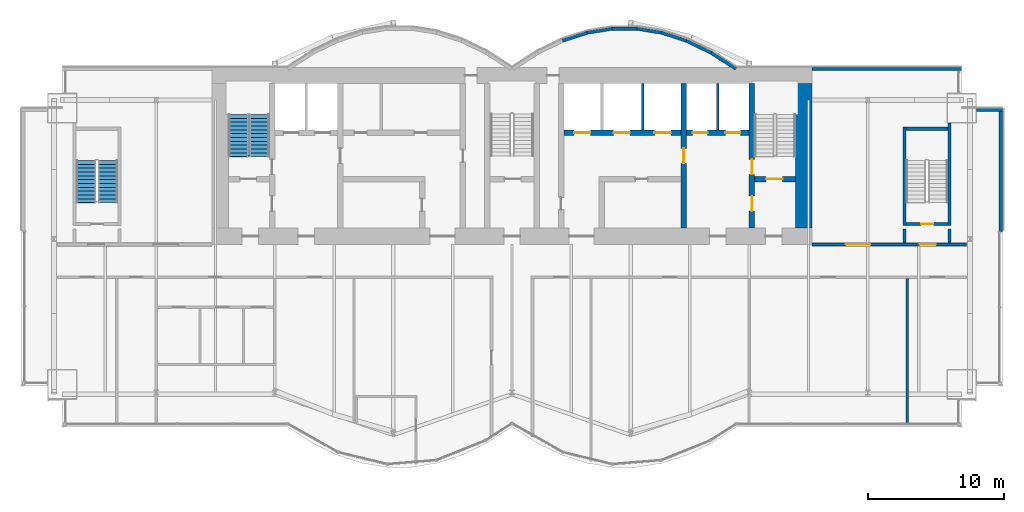
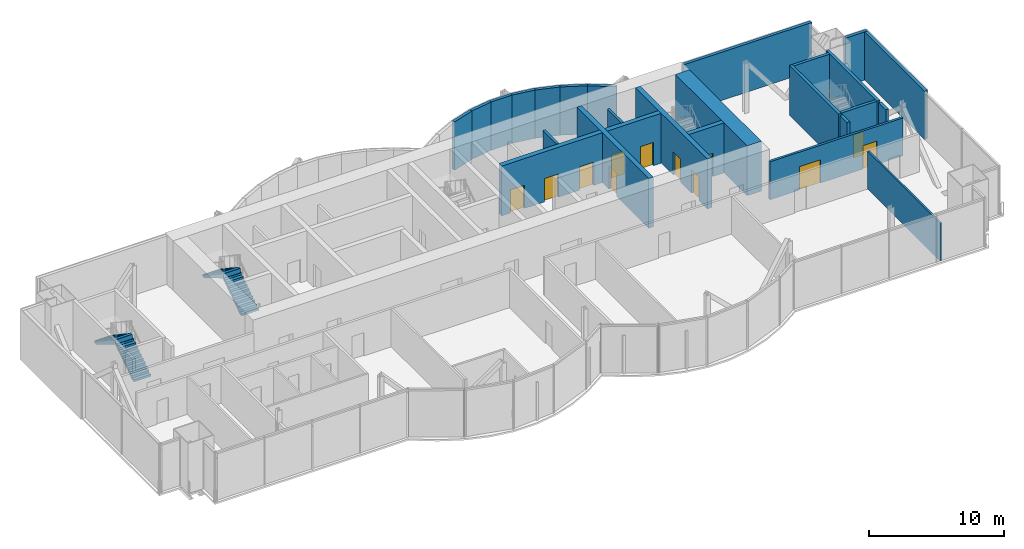
# One storey, part 14 of 18: 25 walls, 12 doors, 4 stair flights, 12 openings, 2 elements without a shape of their own.
"""IFC4 building model written with IfcOpenShell, lengths in metres."""

from ifc_helpers import new_model, si_unit, direction, frame, frame_2d, origin, place, context, subcontext, project, spatial, polyline, rectangle, outline, extrude, material, layer, layer_set, layer_usage, type_object, element, fill, aggregate, save


model = new_model("IFC4")

# Units and contexts
model_context = context("Model", 3, precision=1e-05, world=origin(), true_north=direction((0.0, 1.0)))
body_context = subcontext(model_context, "Body", "Model", "MODEL_VIEW")
ifc_project = project(units=[si_unit("LENGTHUNIT", "METRE"), si_unit("AREAUNIT", "SQUARE_METRE"), si_unit("VOLUMEUNIT", "CUBIC_METRE"), si_unit("PLANEANGLEUNIT", "RADIAN"), si_unit("MASSUNIT", "GRAM", prefix="KILO")], contexts=[model_context])

# Site, building, storey
site_placement = place(None, origin())
site = spatial("IfcSite", under=ifc_project, at=site_placement, CompositionType="ELEMENT")
building_placement = place(site_placement, origin())
building = spatial("IfcBuilding", under=site, at=building_placement, Name="Bicima Exchange Tower", CompositionType="ELEMENT")
storey_placement = place(building_placement, frame((0.0, 0.0, 311.0)))
storey = spatial("IfcBuildingStorey", under=building, at=storey_placement, Name="L70", CompositionType="ELEMENT", Elevation=311.0)

# Walls
ifc_material_1 = material(Name="Gypsum board partition")
ifc_layer_1 = layer(ifc_material_1, 0.199951171875)
ifc_layer_set_1 = layer_set([ifc_layer_1], Name="Gypsum board partition")
wall_type_1 = type_object("IfcWallType", Name="Fire-rated gypsum partition 200 EI120", PredefinedType="PARTITIONING", material=ifc_layer_set_1)
for number, where, z_axis, x_axis, name in (
    (1, (9.60009765625, -4.60009765625, 0.0), (0.0, 0.0, 1.0), (0.0, 1.0, 0.0), "partition wall 19"),
    (2, (15.10009765625, -4.60009765625, 0.0), (0.0, 0.0, 1.0), (0.0, 1.0, 0.0), "partition wall 21"),
):
    element("IfcWall", number, at=place(storey_placement, frame(where, z_axis=z_axis, x_axis=x_axis)), inside=storey, type_object=wall_type_1, Name=name, PredefinedType="PARTITIONING", context=body_context, shape_type="SweptSolid", body=[
        extrude(rectangle(XDim=3.400146484375, YDim=0.199951171875, at=frame_2d((1.7001953125, 0.0))), origin(), (0.0, 0.0, 1.0), 3.418212890625),
    ])

# Wall, openings, doors
ifc_layer_2 = layer(ifc_material_1, 0.199951171875)
ifc_layer_set_2 = layer_set([ifc_layer_2], Name="Gypsum board partition")
wall_type_2 = type_object("IfcWallType", Name="Fire-rated gypsum partition 200 EI60", PredefinedType="PARTITIONING", material=ifc_layer_set_2)
wall_1_placement = place(storey_placement, frame((22.0, -13.0, 0.0), z_axis=(0.0, 0.0, 1.0), x_axis=(1.0, 0.0, 0.0)))
wall_1 = element("IfcWall", 3, at=wall_1_placement, inside=storey, type_object=wall_type_2, Name="partition wall 7", PredefinedType="PARTITIONING", context=body_context, shape_type="SweptSolid", body=[
    extrude(rectangle(XDim=11.340087890625, YDim=0.199951171875, at=frame_2d((5.669921875, 0.0))), origin(), (0.0, 0.0, 1.0), 3.418212890625),
])
opening_1_placement = place(wall_1_placement, frame((7.89990234375, 0.0, 0.0)))
opening_1 = element("IfcOpeningElement", 4, at=opening_1_placement, cuts=wall_1, Name="Opening L70-003", PredefinedType="OPENING", context=body_context, shape_type="SweptSolid", body=[
    extrude(rectangle(XDim=1.199951171875, YDim=2.10009765625, at=frame_2d((0.60009765625, 1.050048828125))), frame((0.0, 0.11181640625, 0.0), z_axis=(0.0, -1.0, 0.0), x_axis=(1.0, 0.0, 0.0)), (0.0, 0.0, 1.0), 0.223876953125),
])
opening_2_placement = place(wall_1_placement, frame((2.5, 0.0, 0.0)))
opening_2 = element("IfcOpeningElement", 5, at=opening_2_placement, cuts=wall_1, Name="Opening L70-006", PredefinedType="OPENING", context=body_context, shape_type="SweptSolid", body=[
    extrude(rectangle(XDim=1.800048828125, YDim=2.10009765625, at=frame_2d((0.89990234375, 1.050048828125))), frame((0.0, 0.11181640625, 0.0), z_axis=(0.0, -1.0, 0.0), x_axis=(1.0, 0.0, 0.0)), (0.0, 0.0, 1.0), 0.223876953125),
])
ifc_material_2 = material(Name="Steel fire door leaf", Category="steel")
door_type_1 = type_object("IfcDoorType", Name="Door 1200 swing FD30S", OperationType="SINGLE_SWING_LEFT", PredefinedType="DOOR", material=ifc_material_2)
door_1_placement = place(opening_1_placement, origin())
door_1 = element("IfcDoor", 6, at=door_1_placement, inside=storey, type_object=door_type_1, Name="Door", OperationType="SINGLE_SWING_RIGHT", OverallHeight=2.10009765625, OverallWidth=1.199951171875, PredefinedType="DOOR", context=body_context, shape_type="SweptSolid", body=[
    extrude(rectangle(XDim=1.199951171875, YDim=2.10009765625, at=frame_2d((0.60009765625, 1.050048828125))), frame((0.0, 0.02490234375, 0.0), z_axis=(0.0, -1.0, 0.0), x_axis=(1.0, 0.0, 0.0)), (0.0, 0.0, 1.0), 0.050048828125),
])
fill(opening_1, door_1)
door_type_2 = type_object("IfcDoorType", Name="Door 1800 double swing FD30S", OperationType="DOUBLE_DOOR_SINGLE_SWING", PredefinedType="DOOR", material=ifc_material_2)
door_2_placement = place(opening_2_placement, origin())
door_2 = element("IfcDoor", 7, at=door_2_placement, inside=storey, type_object=door_type_2, Name="Door", OperationType="SINGLE_SWING_LEFT", OverallHeight=2.10009765625, OverallWidth=1.800048828125, PredefinedType="DOOR", context=body_context, shape_type="SweptSolid", body=[
    extrude(rectangle(XDim=1.800048828125, YDim=2.10009765625, at=frame_2d((0.89990234375, 1.050048828125))), frame((0.0, 0.02490234375, 0.0), z_axis=(0.0, -1.0, 0.0), x_axis=(1.0, 0.0, 0.0)), (0.0, 0.0, 1.0), 0.050048828125),
])
fill(opening_2, door_2)

# Walls
ifc_layer_3 = layer(ifc_material_1, 0.14990234375)
ifc_layer_set_3 = layer_set([ifc_layer_3], Name="Gypsum board partition")
wall_type_3 = type_object("IfcWallType", Name="Gypsum partition 150", PredefinedType="PARTITIONING", material=ifc_layer_set_3)
wall_2_placement = place(storey_placement, frame((29.0, -26.169921875, 0.0), z_axis=(0.0, 0.0, 1.0), x_axis=(0.0, 1.0, 0.0)))
element("IfcWall", 8, at=wall_2_placement, inside=storey, type_object=wall_type_3, Name="partition wall 28", PredefinedType="PARTITIONING", context=body_context, shape_type="SweptSolid", body=[
    extrude(rectangle(XDim=10.669921875, YDim=0.14990234375, at=frame_2d((5.3349609375, 0.0))), origin(), (0.0, 0.0, 1.0), 3.418212890625),
])
ifc_material_3 = material(Name="Concrete C40/50", Category="concrete")
ifc_layer_4 = layer(ifc_material_3, 1.199951171875)
ifc_layer_set_4 = layer_set([ifc_layer_4], Name="Concrete C40/50")
wall_type_4 = type_object("IfcWallType", Name="RC core wall 1200 C40/50", PredefinedType="SHEAR", material=ifc_layer_set_4)
wall_3_placement = place(storey_placement, frame((21.39990234375, -11.800048828125, 0.0), z_axis=(0.0, 0.0, 1.0), x_axis=(0.0, 1.0, 0.0)))
element("IfcWall", 9, at=wall_3_placement, inside=storey, type_object=wall_type_4, Name="Core wall east", PredefinedType="SHEAR", context=body_context, shape_type="SweptSolid", body=[
    extrude(rectangle(XDim=10.60009765625, YDim=1.199951171875, at=frame_2d((5.300048828125, 0.0))), origin(), (0.0, 0.0, 1.0), 4.5),
])
ifc_material_4 = material(Name="Concrete C50/60", Category="concrete")
ifc_layer_5 = layer(ifc_material_4, 0.25)
ifc_layer_set_5 = layer_set([ifc_layer_5], Name="Concrete C50/60")
wall_type_5 = type_object("IfcWallType", Name="RC core wall 250 C50/60", PredefinedType="SHEAR", material=ifc_layer_set_5)
for number, where, z_axis, x_axis, name in (
    (10, (28.800048828125, -12.89990234375, 0.0), (0.0, 0.0, 1.0), (0.0, 1.0, 0.0), "stair wall 27"),
    (11, (32.10009765625, -12.89990234375, 0.0), (0.0, 0.0, 1.0), (0.0, 1.0, 0.0), "stair wall 29"),
):
    element("IfcWall", number, at=place(storey_placement, frame(where, z_axis=z_axis, x_axis=x_axis)), inside=storey, type_object=wall_type_5, Name=name, PredefinedType="SHEAR", context=body_context, shape_type="SweptSolid", body=[
        extrude(rectangle(XDim=1.0498046875, YDim=0.25, at=frame_2d((0.52490234375, 0.0))), origin(), (0.0, 0.0, 1.0), 4.5),
    ])

# Wall, openings, doors
ifc_layer_6 = layer(ifc_material_3, 0.39990234375)
ifc_layer_set_6 = layer_set([ifc_layer_6], Name="Concrete C40/50")
wall_type_6 = type_object("IfcWallType", Name="RC core wall 400 C40/50", PredefinedType="SHEAR", material=ifc_layer_set_6)
wall_4_placement = place(storey_placement, frame((3.800048828125, -4.800048828125, 0.0), z_axis=(0.0, 0.0, 1.0), x_axis=(1.0, 0.0, 0.0)))
wall_4 = element("IfcWall", 12, at=wall_4_placement, inside=storey, type_object=wall_type_6, Name="shear wall 7", PredefinedType="SHEAR", context=body_context, shape_type="SweptSolid", body=[
    extrude(rectangle(XDim=13.599853515625, YDim=0.39990234375, at=frame_2d((6.7998046875, 0.0))), origin(), (0.0, 0.0, 1.0), 4.5),
])
opening_3_placement = place(wall_4_placement, frame((0.75, 0.0, 0.0)))
opening_3 = element("IfcOpeningElement", 13, at=opening_3_placement, cuts=wall_4, Name="Opening LD-HB1-L70", PredefinedType="OPENING", context=body_context, shape_type="SweptSolid", body=[
    extrude(rectangle(XDim=1.199951171875, YDim=2.10009765625, at=frame_2d((0.60009765625, 1.050048828125))), frame((0.0, 0.2119140625, 0.0), z_axis=(0.0, -1.0, 0.0), x_axis=(1.0, 0.0, 0.0)), (0.0, 0.0, 1.0), 0.423828125),
])
opening_4_placement = place(wall_4_placement, frame((3.64990234375, 0.0, 0.0)))
opening_4 = element("IfcOpeningElement", 14, at=opening_4_placement, cuts=wall_4, Name="Opening LD-HB2-L70", PredefinedType="OPENING", context=body_context, shape_type="SweptSolid", body=[
    extrude(rectangle(XDim=1.199951171875, YDim=2.10009765625, at=frame_2d((0.60009765625, 1.050048828125))), frame((0.0, 0.2119140625, 0.0), z_axis=(0.0, -1.0, 0.0), x_axis=(1.0, 0.0, 0.0)), (0.0, 0.0, 1.0), 0.423828125),
])
opening_5_placement = place(wall_4_placement, frame((6.64990234375, 0.0, 0.0)))
opening_5 = element("IfcOpeningElement", 15, at=opening_5_placement, cuts=wall_4, Name="Opening LD-HB3-L70", PredefinedType="OPENING", context=body_context, shape_type="SweptSolid", body=[
    extrude(rectangle(XDim=1.199951171875, YDim=2.10009765625, at=frame_2d((0.60009765625, 1.050048828125))), frame((0.0, 0.2119140625, 0.0), z_axis=(0.0, -1.0, 0.0), x_axis=(1.0, 0.0, 0.0)), (0.0, 0.0, 1.0), 0.423828125),
])
opening_6_placement = place(wall_4_placement, frame((9.449951171875, 0.0, 0.0)))
opening_6 = element("IfcOpeningElement", 16, at=opening_6_placement, cuts=wall_4, Name="Opening LD-FF2-L70", PredefinedType="OPENING", context=body_context, shape_type="SweptSolid", body=[
    extrude(rectangle(XDim=1.10009765625, YDim=2.10009765625, at=frame_2d((0.550048828125, 1.050048828125))), frame((0.0, 0.2119140625, 0.0), z_axis=(0.0, -1.0, 0.0), x_axis=(1.0, 0.0, 0.0)), (0.0, 0.0, 1.0), 0.423828125),
])
opening_7_placement = place(wall_4_placement, frame((11.85009765625, 0.0, 0.0)))
opening_7 = element("IfcOpeningElement", 17, at=opening_7_placement, cuts=wall_4, Name="Opening LD-SV1-L70", PredefinedType="OPENING", context=body_context, shape_type="SweptSolid", body=[
    extrude(rectangle(XDim=1.10009765625, YDim=2.10009765625, at=frame_2d((0.550048828125, 1.050048828125))), frame((0.0, 0.2119140625, 0.0), z_axis=(0.0, -1.0, 0.0), x_axis=(1.0, 0.0, 0.0)), (0.0, 0.0, 1.0), 0.423828125),
])
ifc_material_5 = material(Name="Stainless steel", Category="steel")
door_type_3 = type_object("IfcDoorType", Name="Lift landing door 1100 sliding", OperationType="DOUBLE_DOOR_SLIDING", PredefinedType="DOOR", material=ifc_material_5)
door_3_placement = place(opening_6_placement, origin())
door_3 = element("IfcDoor", 18, at=door_3_placement, inside=storey, type_object=door_type_3, Name="Lift landing door FF2", OperationType="DOUBLE_DOOR_SLIDING", OverallHeight=2.10009765625, OverallWidth=1.10009765625, PredefinedType="DOOR", context=body_context, shape_type="SweptSolid", body=[
    extrude(rectangle(XDim=1.10009765625, YDim=2.10009765625, at=frame_2d((0.550048828125, 1.050048828125))), frame((0.0, 0.02490234375, 0.0), z_axis=(0.0, -1.0, 0.0), x_axis=(1.0, 0.0, 0.0)), (0.0, 0.0, 1.0), 0.050048828125),
])
fill(opening_6, door_3)
door_4_placement = place(opening_7_placement, origin())
door_4 = element("IfcDoor", 19, at=door_4_placement, inside=storey, type_object=door_type_3, Name="Lift landing door SV1", OperationType="DOUBLE_DOOR_SLIDING", OverallHeight=2.10009765625, OverallWidth=1.10009765625, PredefinedType="DOOR", context=body_context, shape_type="SweptSolid", body=[
    extrude(rectangle(XDim=1.10009765625, YDim=2.10009765625, at=frame_2d((0.550048828125, 1.050048828125))), frame((0.0, 0.02490234375, 0.0), z_axis=(0.0, -1.0, 0.0), x_axis=(1.0, 0.0, 0.0)), (0.0, 0.0, 1.0), 0.050048828125),
])
fill(opening_7, door_4)
door_type_4 = type_object("IfcDoorType", Name="Lift landing door 1200 sliding", OperationType="DOUBLE_DOOR_SLIDING", PredefinedType="DOOR", material=ifc_material_5)
door_5_placement = place(opening_3_placement, origin())
door_5 = element("IfcDoor", 20, at=door_5_placement, inside=storey, type_object=door_type_4, Name="Lift landing door HB1", OperationType="DOUBLE_DOOR_SLIDING", OverallHeight=2.10009765625, OverallWidth=1.199951171875, PredefinedType="DOOR", context=body_context, shape_type="SweptSolid", body=[
    extrude(rectangle(XDim=1.199951171875, YDim=2.10009765625, at=frame_2d((0.60009765625, 1.050048828125))), frame((0.0, 0.02490234375, 0.0), z_axis=(0.0, -1.0, 0.0), x_axis=(1.0, 0.0, 0.0)), (0.0, 0.0, 1.0), 0.050048828125),
])
fill(opening_3, door_5)
door_6_placement = place(opening_4_placement, origin())
door_6 = element("IfcDoor", 21, at=door_6_placement, inside=storey, type_object=door_type_4, Name="Lift landing door HB2", OperationType="DOUBLE_DOOR_SLIDING", OverallHeight=2.10009765625, OverallWidth=1.199951171875, PredefinedType="DOOR", context=body_context, shape_type="SweptSolid", body=[
    extrude(rectangle(XDim=1.199951171875, YDim=2.10009765625, at=frame_2d((0.60009765625, 1.050048828125))), frame((0.0, 0.02490234375, 0.0), z_axis=(0.0, -1.0, 0.0), x_axis=(1.0, 0.0, 0.0)), (0.0, 0.0, 1.0), 0.050048828125),
])
fill(opening_4, door_6)
door_7_placement = place(opening_5_placement, origin())
door_7 = element("IfcDoor", 22, at=door_7_placement, inside=storey, type_object=door_type_4, Name="Lift landing door HB3", OperationType="DOUBLE_DOOR_SLIDING", OverallHeight=2.10009765625, OverallWidth=1.199951171875, PredefinedType="DOOR", context=body_context, shape_type="SweptSolid", body=[
    extrude(rectangle(XDim=1.199951171875, YDim=2.10009765625, at=frame_2d((0.60009765625, 1.050048828125))), frame((0.0, 0.02490234375, 0.0), z_axis=(0.0, -1.0, 0.0), x_axis=(1.0, 0.0, 0.0)), (0.0, 0.0, 1.0), 0.050048828125),
])
fill(opening_5, door_7)

# Wall, opening, door
wall_5_placement = place(storey_placement, frame((12.60009765625, -11.800048828125, 0.0), z_axis=(0.0, 0.0, 1.0), x_axis=(0.0, 1.0, 0.0)))
wall_5 = element("IfcWall", 23, at=wall_5_placement, inside=storey, type_object=wall_type_6, Name="shear wall 20", PredefinedType="SHEAR", context=body_context, shape_type="SweptSolid", body=[
    extrude(rectangle(XDim=10.60009765625, YDim=0.39990234375, at=frame_2d((5.300048828125, 0.0))), origin(), (0.0, 0.0, 1.0), 4.5),
])
opening_8_placement = place(wall_5_placement, frame((4.75, 0.0, 0.0)))
opening_8 = element("IfcOpeningElement", 24, at=opening_8_placement, cuts=wall_5, Name="Opening L70-C09", PredefinedType="OPENING", context=body_context, shape_type="SweptSolid", body=[
    extrude(rectangle(XDim=1.10009765625, YDim=2.10009765625, at=frame_2d((0.550048828125, 1.050048828125))), frame((0.0, 0.2119140625, 0.0), z_axis=(0.0, -1.0, 0.0), x_axis=(1.0, 0.0, 0.0)), (0.0, 0.0, 1.0), 0.423828125),
])
door_type_5 = type_object("IfcDoorType", Name="Door 1100 swing FD60S", OperationType="SINGLE_SWING_LEFT", PredefinedType="DOOR", material=ifc_material_2)
door_8_placement = place(opening_8_placement, frame((1.10009765625, 0.0, 0.0), z_axis=(0.0, 0.0, 1.0), x_axis=(-1.0, 0.0, 0.0)))
door_8 = element("IfcDoor", 25, at=door_8_placement, inside=storey, type_object=door_type_5, Name="Core door", OperationType="SINGLE_SWING_RIGHT", OverallHeight=2.10009765625, OverallWidth=1.10009765625, PredefinedType="DOOR", context=body_context, shape_type="SweptSolid", body=[
    extrude(rectangle(XDim=1.10009765625, YDim=2.10009765625, at=frame_2d((0.550048828125, 1.050048828125))), frame((0.0, 0.02490234375, 0.0), z_axis=(0.0, -1.0, 0.0), x_axis=(1.0, 0.0, 0.0)), (0.0, 0.0, 1.0), 0.050048828125),
])
fill(opening_8, door_8)

ifc_layer_7 = layer(ifc_material_4, 0.39990234375)
ifc_layer_set_7 = layer_set([ifc_layer_7], Name="Concrete C50/60")
wall_type_7 = type_object("IfcWallType", Name="RC core wall 400 C50/60", PredefinedType="SHEAR", material=ifc_layer_set_7)
wall_6_placement = place(storey_placement, frame((17.800048828125, -8.199951171875, 0.0), z_axis=(0.0, 0.0, 1.0), x_axis=(1.0, 0.0, 0.0)))
wall_6 = element("IfcWall", 26, at=wall_6_placement, inside=storey, type_object=wall_type_7, Name="stair wall 5", PredefinedType="SHEAR", context=body_context, shape_type="SweptSolid", body=[
    extrude(rectangle(XDim=3.0, YDim=0.39990234375, at=frame_2d((1.5, 0.0))), origin(), (0.0, 0.0, 1.0), 4.5),
])
opening_9_placement = place(wall_6_placement, frame((0.85009765625, 0.0, 0.0)))
opening_9 = element("IfcOpeningElement", 27, at=opening_9_placement, cuts=wall_6, Name="Opening L70-C04", PredefinedType="OPENING", context=body_context, shape_type="SweptSolid", body=[
    extrude(rectangle(XDim=1.199951171875, YDim=2.10009765625, at=frame_2d((0.60009765625, 1.050048828125))), frame((0.0, 0.2119140625, 0.0), z_axis=(0.0, -1.0, 0.0), x_axis=(1.0, 0.0, 0.0)), (0.0, 0.0, 1.0), 0.423828125),
])
door_type_6 = type_object("IfcDoorType", Name="Door 1200 swing FD60S", OperationType="SINGLE_SWING_LEFT", PredefinedType="DOOR", material=ifc_material_2)
door_9_placement = place(opening_9_placement, origin())
door_9 = element("IfcDoor", 28, at=door_9_placement, inside=storey, type_object=door_type_6, Name="Core door", OperationType="SINGLE_SWING_RIGHT", OverallHeight=2.10009765625, OverallWidth=1.199951171875, PredefinedType="DOOR", context=body_context, shape_type="SweptSolid", body=[
    extrude(rectangle(XDim=1.199951171875, YDim=2.10009765625, at=frame_2d((0.60009765625, 1.050048828125))), frame((0.0, 0.02490234375, 0.0), z_axis=(0.0, -1.0, 0.0), x_axis=(1.0, 0.0, 0.0)), (0.0, 0.0, 1.0), 0.050048828125),
])
fill(opening_9, door_9)

# Wall, openings, doors
wall_7_placement = place(storey_placement, frame((17.60009765625, -11.800048828125, 0.0), z_axis=(0.0, 0.0, 1.0), x_axis=(0.0, 1.0, 0.0)))
wall_7 = element("IfcWall", 29, at=wall_7_placement, inside=storey, type_object=wall_type_7, Name="stair wall 22", PredefinedType="SHEAR", context=body_context, shape_type="SweptSolid", body=[
    extrude(rectangle(XDim=10.60009765625, YDim=0.39990234375, at=frame_2d((5.300048828125, 0.0))), origin(), (0.0, 0.0, 1.0), 4.5),
])
opening_10_placement = place(wall_7_placement, frame((1.25, 0.0, 0.0)))
opening_10 = element("IfcOpeningElement", 30, at=opening_10_placement, cuts=wall_7, Name="Opening L70-C05", PredefinedType="OPENING", context=body_context, shape_type="SweptSolid", body=[
    extrude(rectangle(XDim=1.10009765625, YDim=2.10009765625, at=frame_2d((0.550048828125, 1.050048828125))), frame((0.0, 0.2119140625, 0.0), z_axis=(0.0, -1.0, 0.0), x_axis=(1.0, 0.0, 0.0)), (0.0, 0.0, 1.0), 0.423828125),
])
opening_11_placement = place(wall_7_placement, frame((3.949951171875, 0.0, 0.0)))
opening_11 = element("IfcOpeningElement", 31, at=opening_11_placement, cuts=wall_7, Name="Opening L70-C08", PredefinedType="OPENING", context=body_context, shape_type="SweptSolid", body=[
    extrude(rectangle(XDim=1.10009765625, YDim=2.10009765625, at=frame_2d((0.550048828125, 1.050048828125))), frame((0.0, 0.2119140625, 0.0), z_axis=(0.0, -1.0, 0.0), x_axis=(1.0, 0.0, 0.0)), (0.0, 0.0, 1.0), 0.423828125),
])
door_10_placement = place(opening_10_placement, origin())
door_10 = element("IfcDoor", 32, at=door_10_placement, inside=storey, type_object=door_type_5, Name="Core door", OperationType="SINGLE_SWING_LEFT", OverallHeight=2.10009765625, OverallWidth=1.10009765625, PredefinedType="DOOR", context=body_context, shape_type="SweptSolid", body=[
    extrude(rectangle(XDim=1.10009765625, YDim=2.10009765625, at=frame_2d((0.550048828125, 1.050048828125))), frame((0.0, 0.02490234375, 0.0), z_axis=(0.0, -1.0, 0.0), x_axis=(1.0, 0.0, 0.0)), (0.0, 0.0, 1.0), 0.050048828125),
])
fill(opening_10, door_10)
door_11_placement = place(opening_11_placement, origin())
door_11 = element("IfcDoor", 33, at=door_11_placement, inside=storey, type_object=door_type_5, Name="Core door", OperationType="SINGLE_SWING_RIGHT", OverallHeight=2.10009765625, OverallWidth=1.10009765625, PredefinedType="DOOR", context=body_context, shape_type="SweptSolid", body=[
    extrude(rectangle(XDim=1.10009765625, YDim=2.10009765625, at=frame_2d((0.550048828125, 1.050048828125))), frame((0.0, 0.02490234375, 0.0), z_axis=(0.0, -1.0, 0.0), x_axis=(1.0, 0.0, 0.0)), (0.0, 0.0, 1.0), 0.050048828125),
])
fill(opening_11, door_11)

# Walls
ifc_layer_8 = layer(ifc_material_4, 0.25)
ifc_layer_set_8 = layer_set([ifc_layer_8], Name="Concrete C50/60")
wall_type_8 = type_object("IfcWallType", Name="RC stair enclosure wall 250 C50/60", PredefinedType="SHEAR", material=ifc_layer_set_8)
wall_8_placement = place(storey_placement, frame((28.800048828125, -11.625, 0.0), z_axis=(0.0, 0.0, 1.0), x_axis=(0.0, 1.0, 0.0)))
element("IfcWall", 34, at=wall_8_placement, inside=storey, type_object=wall_type_8, Name="East end exit stair wall W", PredefinedType="SHEAR", context=body_context, shape_type="SweptSolid", body=[
    extrude(rectangle(XDim=7.25, YDim=0.25, at=frame_2d((3.625, 0.0))), origin(), (0.0, 0.0, 1.0), 4.5),
])
wall_9_placement = place(storey_placement, frame((32.10009765625, -11.625, 0.0), z_axis=(0.0, 0.0, 1.0), x_axis=(0.0, 1.0, 0.0)))
element("IfcWall", 35, at=wall_9_placement, inside=storey, type_object=wall_type_8, Name="East end exit stair wall E", PredefinedType="SHEAR", context=body_context, shape_type="SweptSolid", body=[
    extrude(rectangle(XDim=7.52490234375, YDim=0.25, at=frame_2d((3.762451171875, 0.0))), origin(), (0.0, 0.0, 1.0), 4.5),
])

# Wall, opening, door
wall_10_placement = place(storey_placement, frame((28.925048828125, -11.5, 0.0), z_axis=(0.0, 0.0, 1.0), x_axis=(1.0, 0.0, 0.0)))
wall_10 = element("IfcWall", 36, at=wall_10_placement, inside=storey, type_object=wall_type_8, Name="East end exit stair wall S", PredefinedType="SHEAR", context=body_context, shape_type="SweptSolid", body=[
    extrude(rectangle(XDim=3.050048828125, YDim=0.25, at=frame_2d((1.52490234375, 0.0))), origin(), (0.0, 0.0, 1.0), 4.5),
])
opening_12_placement = place(wall_10_placement, frame((1.10009765625, 0.0, 0.0)))
opening_12 = element("IfcOpeningElement", 37, at=opening_12_placement, cuts=wall_10, Name="Opening L70-004", PredefinedType="OPENING", context=body_context, shape_type="SweptSolid", body=[
    extrude(rectangle(XDim=0.89990234375, YDim=2.10009765625, at=frame_2d((0.449951171875, 1.050048828125))), frame((0.0, 0.136962890625, 0.0), z_axis=(0.0, -1.0, 0.0), x_axis=(1.0, 0.0, 0.0)), (0.0, 0.0, 1.0), 0.27392578125),
])
door_type_7 = type_object("IfcDoorType", Name="Door 900 swing FD60S", OperationType="SINGLE_SWING_LEFT", PredefinedType="DOOR", material=ifc_material_2)
door_12_placement = place(opening_12_placement, origin())
door_12 = element("IfcDoor", 38, at=door_12_placement, inside=storey, type_object=door_type_7, Name="Door", OperationType="SINGLE_SWING_LEFT", OverallHeight=2.10009765625, OverallWidth=0.89990234375, PredefinedType="DOOR", context=body_context, shape_type="SweptSolid", body=[
    extrude(rectangle(XDim=0.89990234375, YDim=2.10009765625, at=frame_2d((0.449951171875, 1.050048828125))), frame((0.0, 0.02490234375, 0.0), z_axis=(0.0, -1.0, 0.0), x_axis=(1.0, 0.0, 0.0)), (0.0, 0.0, 1.0), 0.050048828125),
])
fill(opening_12, door_12)

# Walls
wall_11_placement = place(storey_placement, frame((28.925048828125, -4.5, 0.0), z_axis=(0.0, 0.0, 1.0), x_axis=(1.0, 0.0, 0.0)))
element("IfcWall", 39, at=wall_11_placement, inside=storey, type_object=wall_type_8, Name="East end exit stair wall N", PredefinedType="SHEAR", context=body_context, shape_type="SweptSolid", body=[
    extrude(rectangle(XDim=3.050048828125, YDim=0.25, at=frame_2d((1.52490234375, 0.0))), origin(), (0.0, 0.0, 1.0), 4.5),
])
ifc_layer_9 = layer(ifc_material_3, 0.25)
ifc_layer_set_9 = layer_set([ifc_layer_9], Name="Concrete C40/50")
ifc_layer_usage = layer_usage(ifc_layer_set_9, "AXIS2", "POSITIVE", -0.125)
wall_type_9 = type_object("IfcWallType", Name="Rear backup wall 250", PredefinedType="STANDARD", material=ifc_layer_set_9)
wall_12_placement = place(storey_placement, frame((33.0, -0.125, 0.0), z_axis=(0.0, 0.0, 1.0), x_axis=(-1.0, 0.0, 0.0)))
element("IfcWall", 40, at=wall_12_placement, inside=storey, type_object=wall_type_9, material=ifc_layer_usage, Name="Rear backup wall L70 1", PredefinedType="STANDARD", context=body_context, shape_type="SweptSolid", body=[
    extrude(rectangle(XDim=11.0, YDim=0.25, at=frame_2d((5.5, 0.0))), origin(), (0.0, 0.0, 1.0), 4.35009765625),
])
wall_13_placement = place(storey_placement, frame((16.43212890625, -0.10498046875, 0.0), z_axis=(0.0, 0.0, 1.0), x_axis=(-0.83981312244, 0.542875602121, 0.0)))
element("IfcWall", 41, at=wall_13_placement, inside=storey, type_object=wall_type_9, material=ifc_layer_usage, Name="Rear backup wall L70 2", PredefinedType="STANDARD", context=body_context, shape_type="SweptSolid", body=[
    extrude(rectangle(XDim=2.182861328125, YDim=0.25, at=frame_2d((1.09130859375, 0.0))), origin(), (0.0, 0.0, 1.0), 4.35009765625),
])
wall_14_placement = place(storey_placement, frame((14.6123046875, 1.07275390625, 0.0), z_axis=(0.0, 0.0, 1.0), x_axis=(-0.89982408427, 0.436252928206, 0.0)))
element("IfcWall", 42, at=wall_14_placement, inside=storey, type_object=wall_type_9, material=ifc_layer_usage, Name="Rear backup wall L70 3", PredefinedType="STANDARD", context=body_context, shape_type="SweptSolid", body=[
    extrude(rectangle(XDim=2.03759765625, YDim=0.25, at=frame_2d((1.018798828125, 0.0))), origin(), (0.0, 0.0, 1.0), 4.35009765625),
])
wall_15_placement = place(storey_placement, frame((12.794921875, 1.955078125, 0.0), z_axis=(0.0, 0.0, 1.0), x_axis=(-0.951495806175, 0.307661714928, 0.0)))
element("IfcWall", 43, at=wall_15_placement, inside=storey, type_object=wall_type_9, material=ifc_layer_usage, Name="Rear backup wall L70 4", PredefinedType="STANDARD", context=body_context, shape_type="SweptSolid", body=[
    extrude(rectangle(XDim=1.9267578125, YDim=0.25, at=frame_2d((0.96337890625, 0.0))), origin(), (0.0, 0.0, 1.0), 4.35009765625),
])
wall_16_placement = place(storey_placement, frame((10.97998046875, 2.543212890625, 0.0), z_axis=(0.0, 0.0, 1.0), x_axis=(-0.987181718931, 0.159600293885, 0.0)))
element("IfcWall", 44, at=wall_16_placement, inside=storey, type_object=wall_type_9, material=ifc_layer_usage, Name="Rear backup wall L70 5", PredefinedType="STANDARD", context=body_context, shape_type="SweptSolid", body=[
    extrude(rectangle(XDim=1.857177734375, YDim=0.25, at=frame_2d((0.9287109375, 0.0))), origin(), (0.0, 0.0, 1.0), 4.35009765625),
])
wall_17_placement = place(storey_placement, frame((9.166748046875, 2.837890625, 0.0), z_axis=(0.0, 0.0, 1.0), x_axis=(-1.0, 0.0, 0.0)))
element("IfcWall", 45, at=wall_17_placement, inside=storey, type_object=wall_type_9, material=ifc_layer_usage, Name="Rear backup wall L70 6", PredefinedType="STANDARD", context=body_context, shape_type="SweptSolid", body=[
    extrude(rectangle(XDim=1.83349609375, YDim=0.25, at=frame_2d((0.916748046875, 0.0))), origin(), (0.0, 0.0, 1.0), 4.35009765625),
])
wall_18_placement = place(storey_placement, frame((7.353271484375, 2.839599609375, 0.0), z_axis=(0.0, 0.0, 1.0), x_axis=(-0.987181718931, -0.159600293885, 0.0)))
element("IfcWall", 46, at=wall_18_placement, inside=storey, type_object=wall_type_9, material=ifc_layer_usage, Name="Rear backup wall L70 7", PredefinedType="STANDARD", context=body_context, shape_type="SweptSolid", body=[
    extrude(rectangle(XDim=1.857177734375, YDim=0.25, at=frame_2d((0.9287109375, 0.0))), origin(), (0.0, 0.0, 1.0), 4.35009765625),
])
wall_19_placement = place(storey_placement, frame((5.538330078125, 2.5478515625, 0.0), z_axis=(0.0, 0.0, 1.0), x_axis=(-0.951495806175, -0.307661714928, 0.0)))
element("IfcWall", 47, at=wall_19_placement, inside=storey, type_object=wall_type_9, material=ifc_layer_usage, Name="Rear backup wall L70 8", PredefinedType="STANDARD", context=body_context, shape_type="SweptSolid", body=[
    extrude(rectangle(XDim=1.9267578125, YDim=0.25, at=frame_2d((0.96337890625, 0.0))), origin(), (0.0, 0.0, 1.0), 4.35009765625),
])
wall_20_placement = place(storey_placement, frame((35.875, -12.090087890625, 0.0), z_axis=(0.0, 0.0, 1.0), x_axis=(0.0, 1.0, 0.0)))
element("IfcWall", 48, at=wall_20_placement, inside=storey, type_object=wall_type_9, material=ifc_layer_usage, Name="Rear backup wall L70 50", PredefinedType="STANDARD", context=body_context, shape_type="SweptSolid", body=[
    extrude(rectangle(XDim=9.090087890625, YDim=0.25, at=frame_2d((4.544921875, 0.0))), origin(), (0.0, 0.0, 1.0), 4.35009765625),
])
wall_21_placement = place(storey_placement, frame((36.0, -3.125, 0.0), z_axis=(0.0, 0.0, 1.0), x_axis=(-1.0, 0.0, 0.0)))
element("IfcWall", 49, at=wall_21_placement, inside=storey, type_object=wall_type_9, material=ifc_layer_usage, Name="Rear backup wall L70 51", PredefinedType="STANDARD", context=body_context, shape_type="SweptSolid", body=[
    extrude(rectangle(XDim=1.89990234375, YDim=0.25, at=frame_2d((0.949951171875, 0.0))), origin(), (0.0, 0.0, 1.0), 4.35009765625),
])

# Stair, stair flights
stair_type = type_object("IfcStairType", Name="Exit stair", PredefinedType="HALF_TURN_STAIR", material=ifc_material_4)
stair_1_placement = place(storey_placement, origin())
stair_1 = element("IfcStair", 50, at=stair_1_placement, inside=storey, type_object=stair_type, Name="L70 West exit stair", PredefinedType="HALF_TURN_STAIR")
stair_flight_type = type_object("IfcStairFlightType", Name="Stair flight RC", PredefinedType="STRAIGHT", material=ifc_material_4)
stair_flight_1_placement = place(storey_placement, frame((-18.52490234375, -6.550048828125, 0.0), z_axis=(0.0, 0.0, 1.0), x_axis=(0.0, 1.0, 0.0)))
stair_flight_1 = element("IfcStairFlight", 51, at=stair_flight_1_placement, type_object=stair_flight_type, Name="ST-W flight 1", NumberOfRisers=12, NumberOfTreads=11, PredefinedType="STRAIGHT", RiserHeight=0.1875, TreadLength=0.28, context=body_context, shape_type="SweptSolid", body=[
    extrude(outline(polyline([(0.0, 0.0), (0.0, 0.1875), (0.280029296875, 0.1875), (0.280029296875, 0.375), (0.56005859375, 0.375), (0.56005859375, 0.5625), (0.840087890625, 0.5625), (0.840087890625, 0.75), (1.1201171875, 0.75), (1.1201171875, 0.9375), (1.39990234375, 0.9375), (1.39990234375, 1.125), (1.679931640625, 1.125), (1.679931640625, 1.3125), (1.9599609375, 1.3125), (1.9599609375, 1.5), (2.239990234375, 1.5), (2.239990234375, 1.6875), (2.52001953125, 1.6875), (2.52001953125, 1.875), (2.800048828125, 1.875), (2.800048828125, 2.0625), (3.080078125, 2.0625), (3.080078125, 2.25), (3.080078125, 1.882080078125), (0.26953125, 0.0), (0.0, 0.0)])), frame((0.0, 0.72509765625, 0.0), z_axis=(0.0, -1.0, 0.0), x_axis=(1.0, 0.0, 0.0)), (0.0, 0.0, 1.0), 1.449951171875),
])
stair_flight_2_placement = place(storey_placement, frame((-20.074951171875, -3.469970703125, 2.25), z_axis=(0.0, 0.0, 1.0), x_axis=(0.0, -1.0, 0.0)))
stair_flight_2 = element("IfcStairFlight", 52, at=stair_flight_2_placement, type_object=stair_flight_type, Name="ST-W flight 2", NumberOfRisers=12, NumberOfTreads=11, PredefinedType="STRAIGHT", RiserHeight=0.1875, TreadLength=0.28, context=body_context, shape_type="SweptSolid", body=[
    extrude(outline(polyline([(0.0, 0.0), (0.0, 0.1875), (0.280029296875, 0.1875), (0.280029296875, 0.375), (0.56005859375, 0.375), (0.56005859375, 0.5625), (0.840087890625, 0.5625), (0.840087890625, 0.75), (1.1201171875, 0.75), (1.1201171875, 0.9375), (1.39990234375, 0.9375), (1.39990234375, 1.125), (1.679931640625, 1.125), (1.679931640625, 1.3125), (1.9599609375, 1.3125), (1.9599609375, 1.5), (2.239990234375, 1.5), (2.239990234375, 1.6875), (2.52001953125, 1.6875), (2.52001953125, 1.875), (2.800048828125, 1.875), (2.800048828125, 2.0625), (3.080078125, 2.0625), (3.080078125, 2.10400390625), (3.094970703125, 2.10400390625), (3.094970703125, 1.70458984375), (0.26953125, 0.0), (0.0, 0.0)])), frame((0.0, 0.72509765625, 0.0), z_axis=(0.0, -1.0, 0.0), x_axis=(1.0, 0.0, 0.0)), (0.0, 0.0, 1.0), 1.449951171875),
])
aggregate(stair_1, [stair_flight_1, stair_flight_2])

stair_2_placement = place(storey_placement, origin())
stair_2 = element("IfcStair", 53, at=stair_2_placement, inside=storey, type_object=stair_type, Name="L70 West end exit stair", PredefinedType="HALF_TURN_STAIR")
stair_flight_3_placement = place(storey_placement, frame((-29.64990234375, -9.925048828125, 0.0), z_axis=(0.0, 0.0, 1.0), x_axis=(0.0, 1.0, 0.0)))
stair_flight_3 = element("IfcStairFlight", 54, at=stair_flight_3_placement, type_object=stair_flight_type, Name="ST-WW flight 1", NumberOfRisers=12, NumberOfTreads=11, PredefinedType="STRAIGHT", RiserHeight=0.1875, TreadLength=0.28, context=body_context, shape_type="SweptSolid", body=[
    extrude(outline(polyline([(0.0, 0.0), (0.0, 0.1875), (0.280029296875, 0.1875), (0.280029296875, 0.375), (0.56005859375, 0.375), (0.56005859375, 0.5625), (0.840087890625, 0.5625), (0.840087890625, 0.75), (1.1201171875, 0.75), (1.1201171875, 0.9375), (1.39990234375, 0.9375), (1.39990234375, 1.125), (1.679931640625, 1.125), (1.679931640625, 1.3125), (1.9599609375, 1.3125), (1.9599609375, 1.5), (2.239990234375, 1.5), (2.239990234375, 1.6875), (2.52001953125, 1.6875), (2.52001953125, 1.875), (2.800048828125, 1.875), (2.800048828125, 2.0625), (3.080078125, 2.0625), (3.080078125, 2.25), (3.080078125, 1.882080078125), (0.26953125, 0.0), (0.0, 0.0)])), frame((0.0, 0.72509765625, 0.0), z_axis=(0.0, -1.0, 0.0), x_axis=(1.0, 0.0, 0.0)), (0.0, 0.0, 1.0), 1.449951171875),
])
stair_flight_4_placement = place(storey_placement, frame((-31.25, -6.844970703125, 2.25), z_axis=(0.0, 0.0, 1.0), x_axis=(0.0, -1.0, 0.0)))
stair_flight_4 = element("IfcStairFlight", 55, at=stair_flight_4_placement, type_object=stair_flight_type, Name="ST-WW flight 2", NumberOfRisers=12, NumberOfTreads=11, PredefinedType="STRAIGHT", RiserHeight=0.1875, TreadLength=0.28, context=body_context, shape_type="SweptSolid", body=[
    extrude(outline(polyline([(0.0, 0.0), (0.0, 0.1875), (0.280029296875, 0.1875), (0.280029296875, 0.375), (0.56005859375, 0.375), (0.56005859375, 0.5625), (0.840087890625, 0.5625), (0.840087890625, 0.75), (1.1201171875, 0.75), (1.1201171875, 0.9375), (1.39990234375, 0.9375), (1.39990234375, 1.125), (1.679931640625, 1.125), (1.679931640625, 1.3125), (1.9599609375, 1.3125), (1.9599609375, 1.5), (2.239990234375, 1.5), (2.239990234375, 1.6875), (2.52001953125, 1.6875), (2.52001953125, 1.875), (2.800048828125, 1.875), (2.800048828125, 2.0625), (3.080078125, 2.0625), (3.080078125, 2.10400390625), (3.094970703125, 2.10400390625), (3.094970703125, 1.70458984375), (0.26953125, 0.0), (0.0, 0.0)])), frame((0.0, 0.72509765625, 0.0), z_axis=(0.0, -1.0, 0.0), x_axis=(1.0, 0.0, 0.0)), (0.0, 0.0, 1.0), 1.449951171875),
])
aggregate(stair_2, [stair_flight_3, stair_flight_4])

save(model, "model.ifc")
